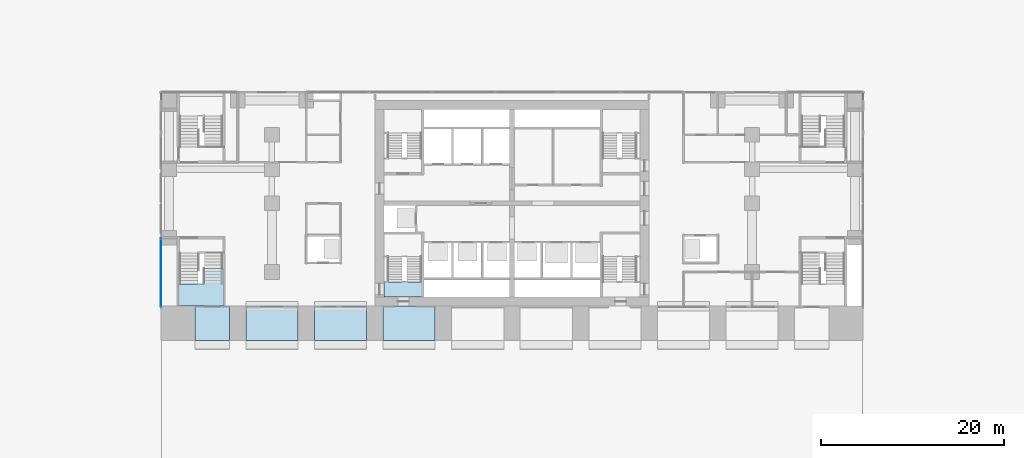
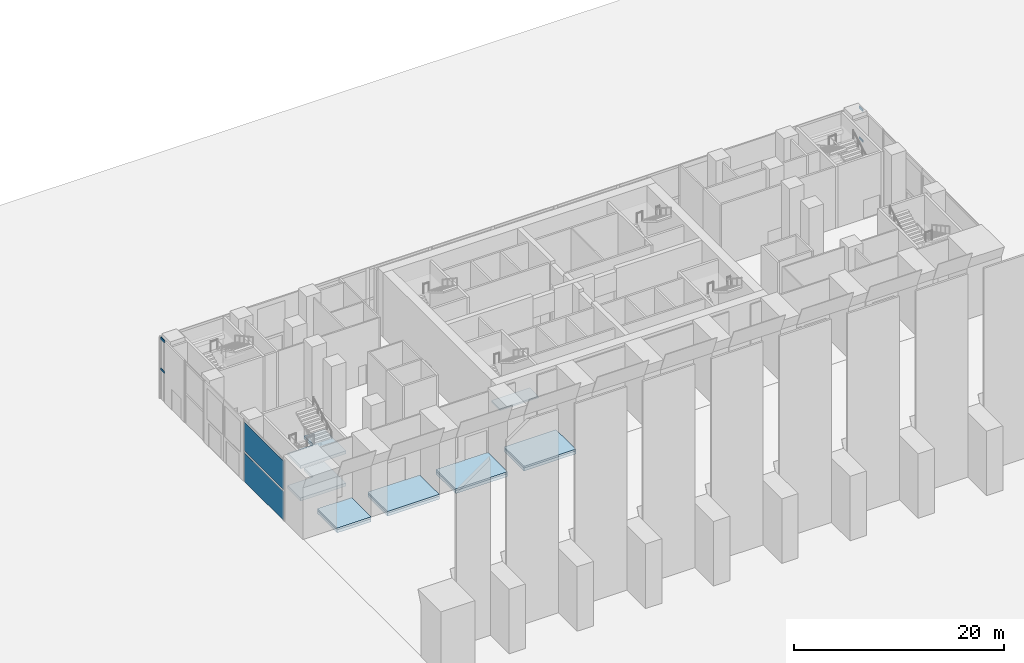
# One storey, part 6 of 21: 11 slabs, 4 members, 2 plates, 8 elements without a shape of their own.
"""IFC4 building model written with IfcOpenShell, lengths in metres."""

from ifc_helpers import new_model, si_unit, direction, frame, origin, origin_2d, place, context, subcontext, project, spatial, polyline, rectangle, outline, extrude, material, layer, layer_set, material_profile, profile_set, type_object, element, aggregate, save


model = new_model("IFC4")

# Units and contexts
model_context = context("Model", 3, precision=1e-05, world=origin(), true_north=direction((0.0, 1.0)))
body_context = subcontext(model_context, "Body", "Model", "MODEL_VIEW")
ifc_project = project(units=[si_unit("LENGTHUNIT", "METRE"), si_unit("AREAUNIT", "SQUARE_METRE"), si_unit("VOLUMEUNIT", "CUBIC_METRE"), si_unit("PLANEANGLEUNIT", "RADIAN"), si_unit("MASSUNIT", "GRAM", prefix="KILO")], contexts=[model_context])

# Site, building, storey
site_placement = place(None, origin())
site = spatial("IfcSite", under=ifc_project, at=site_placement, CompositionType="ELEMENT")
building_placement = place(site_placement, origin())
building = spatial("IfcBuilding", under=site, at=building_placement, Name="Pilkhan Gate Tower", CompositionType="ELEMENT")
storey_placement = place(building_placement, origin())
storey = spatial("IfcBuildingStorey", under=building, at=storey_placement, Name="L00", CompositionType="ELEMENT", Elevation=0.0)

# Curtain wall, member
ifc_material_1 = material(Name="Pale anodised aluminium, clear low-iron laminated glazing", Category="aluminium")
curtain_wall_type = type_object("IfcCurtainWallType", Name="Podium unitised curtain wall CW-P", PredefinedType="USERDEFINED", material=ifc_material_1)
curtain_wall_1_placement = place(storey_placement, origin())
curtain_wall_1 = element("IfcCurtainWall", 1, at=curtain_wall_1_placement, inside=storey, type_object=curtain_wall_type, Name="Podium unitised curtain wall CW-P L00 E", ObjectType="UNITISED CURTAIN WALL", PredefinedType="USERDEFINED")
ifc_material_2 = material(Name="Pale anodised aluminium", Category="aluminium")
ifc_material_profile = material_profile(ifc_material_2, rectangle(XDim=0.080078125, YDim=0.25, at=origin_2d()), Name="Transom 250x80")
ifc_profile_set = profile_set([ifc_material_profile], Name="Pale anodised aluminium")
member_type = type_object("IfcMemberType", Name="Transom CW-P 250x80", PredefinedType="USERDEFINED", material=ifc_profile_set)
member_1_placement = place(storey_placement, frame((113.39501953125, 93.830078125, 3.449951171875), z_axis=(0.0, 1.0, 0.0), x_axis=(-1.0, 0.0, 0.0)))
member_1 = element("IfcMember", 2, at=member_1_placement, type_object=member_type, Name="CW-P transom 1", ObjectType="TRANSOM", PredefinedType="USERDEFINED", context=body_context, shape_type="SweptSolid", body=[
    extrude(rectangle(XDim=0.080078125, YDim=0.25, at=origin_2d()), origin(), (0.0, 0.0, 1.0), 0.73486328125),
])
aggregate(curtain_wall_1, [member_1])

curtain_wall_2_placement = place(storey_placement, origin())
curtain_wall_2 = element("IfcCurtainWall", 3, at=curtain_wall_2_placement, inside=storey, type_object=curtain_wall_type, Name="Podium unitised curtain wall CW-P L00 E", ObjectType="UNITISED CURTAIN WALL", PredefinedType="USERDEFINED")
member_2_placement = place(storey_placement, frame((113.39501953125, 93.830078125, 7.02490234375), z_axis=(0.0, 1.0, 0.0), x_axis=(-1.0, 0.0, 0.0)))
member_2 = element("IfcMember", 4, at=member_2_placement, type_object=member_type, Name="CW-P transom 1", ObjectType="TRANSOM", PredefinedType="USERDEFINED", context=body_context, shape_type="SweptSolid", body=[
    extrude(rectangle(XDim=0.080078125, YDim=0.25, at=origin_2d()), origin(), (0.0, 0.0, 1.0), 0.73486328125),
])
aggregate(curtain_wall_2, [member_2])

curtain_wall_3_placement = place(storey_placement, origin())
curtain_wall_3 = element("IfcCurtainWall", 5, at=curtain_wall_3_placement, inside=storey, type_object=curtain_wall_type, Name="Podium unitised curtain wall CW-P L00 W", ObjectType="UNITISED CURTAIN WALL", PredefinedType="USERDEFINED")
member_3_placement = place(storey_placement, frame((36.60498046875, 93.830078125, 3.449951171875), z_axis=(0.0, 1.0, 0.0), x_axis=(-1.0, 0.0, 0.0)))
member_3 = element("IfcMember", 6, at=member_3_placement, type_object=member_type, Name="CW-P transom 1", ObjectType="TRANSOM", PredefinedType="USERDEFINED", context=body_context, shape_type="SweptSolid", body=[
    extrude(rectangle(XDim=0.080078125, YDim=0.25, at=origin_2d()), origin(), (0.0, 0.0, 1.0), 0.73486328125),
])
aggregate(curtain_wall_3, [member_3])

curtain_wall_4_placement = place(storey_placement, origin())
curtain_wall_4 = element("IfcCurtainWall", 7, at=curtain_wall_4_placement, inside=storey, type_object=curtain_wall_type, Name="Podium unitised curtain wall CW-P L00 W", ObjectType="UNITISED CURTAIN WALL", PredefinedType="USERDEFINED")
member_4_placement = place(storey_placement, frame((36.60498046875, 93.830078125, 7.02490234375), z_axis=(0.0, 1.0, 0.0), x_axis=(-1.0, 0.0, 0.0)))
member_4 = element("IfcMember", 8, at=member_4_placement, type_object=member_type, Name="CW-P transom 1", ObjectType="TRANSOM", PredefinedType="USERDEFINED", context=body_context, shape_type="SweptSolid", body=[
    extrude(rectangle(XDim=0.080078125, YDim=0.25, at=origin_2d()), origin(), (0.0, 0.0, 1.0), 0.73486328125),
])
aggregate(curtain_wall_4, [member_4])

# Curtain wall, plate
curtain_wall_5_placement = place(storey_placement, origin())
curtain_wall_5 = element("IfcCurtainWall", 9, at=curtain_wall_5_placement, inside=storey, type_object=curtain_wall_type, Name="Podium unitised curtain wall CW-P L00 W", ObjectType="UNITISED CURTAIN WALL", PredefinedType="USERDEFINED")
ifc_material_3 = material(Name="Clear low-iron laminated glazing", Category="glass")
ifc_layer_1 = layer(ifc_material_3, 0.048095703125)
ifc_layer_set_1 = layer_set([ifc_layer_1], Name="Glass panel CW-P 48")
plate_type = type_object("IfcPlateType", Name="Glass panel CW-P 48", PredefinedType="CURTAIN_PANEL", material=ifc_layer_set_1)
plate_1_placement = place(storey_placement, frame((36.60498046875, 74.927490234375, 0.0), z_axis=(0.0, 0.0, 1.0), x_axis=(0.0, 1.0, 0.0)))
plate_1 = element("IfcPlate", 10, at=plate_1_placement, type_object=plate_type, Name="CW-P panel 1", PredefinedType="CURTAIN_PANEL", context=body_context, shape_type="SweptSolid", body=[
    extrude(rectangle(XDim=7.485107421875, YDim=0.048095703125, at=origin_2d()), origin(), (0.0, 0.0, 1.0), 3.324951171875),
])
aggregate(curtain_wall_5, [plate_1])

curtain_wall_6_placement = place(storey_placement, origin())
curtain_wall_6 = element("IfcCurtainWall", 11, at=curtain_wall_6_placement, inside=storey, type_object=curtain_wall_type, Name="Podium unitised curtain wall CW-P L00 W", ObjectType="UNITISED CURTAIN WALL", PredefinedType="USERDEFINED")
plate_2_placement = place(storey_placement, frame((36.60498046875, 74.927490234375, 3.5751953125), z_axis=(0.0, 0.0, 1.0), x_axis=(0.0, 1.0, 0.0)))
plate_2 = element("IfcPlate", 12, at=plate_2_placement, type_object=plate_type, Name="CW-P panel 1", PredefinedType="CURTAIN_PANEL", context=body_context, shape_type="SweptSolid", body=[
    extrude(rectangle(XDim=7.485107421875, YDim=0.048095703125, at=origin_2d()), origin(), (0.0, 0.0, 1.0), 3.324951171875),
])
aggregate(curtain_wall_6, [plate_2])

# Slabs
ifc_material_4 = material(Name="Concrete C40/50", Category="concrete")
ifc_layer_2 = layer(ifc_material_4, 0.35009765625)
ifc_layer_set_2 = layer_set([ifc_layer_2], Name="Niche deck slab ND350")
slab_type_1 = type_object("IfcSlabType", Name="Niche deck slab ND350", PredefinedType="FLOOR", material=ifc_layer_set_2)
slab_1_placement = place(storey_placement, frame((0.0, 0.0, -0.550048828125)))
element("IfcSlab", 13, at=slab_1_placement, inside=storey, type_object=slab_type_1, Name="Niche deck slab 1", PredefinedType="FLOOR", context=body_context, shape_type="SweptSolid", body=[
    extrude(outline(polyline([(40.35009765625, 67.5), (44.10009765625, 67.5), (44.10009765625, 71.25), (40.35009765625, 71.25), (40.35009765625, 67.5)])), origin(), (0.0, 0.0, 1.0), 0.35009765625),
])
slab_2_placement = place(storey_placement, frame((0.0, 0.0, -0.550048828125)))
element("IfcSlab", 14, at=slab_2_placement, inside=storey, type_object=slab_type_1, Name="Niche deck slab 2", PredefinedType="FLOOR", context=body_context, shape_type="SweptSolid", body=[
    extrude(outline(polyline([(45.89990234375, 67.5), (51.60009765625, 67.5), (51.60009765625, 71.25), (45.89990234375, 71.25), (45.89990234375, 67.5)])), origin(), (0.0, 0.0, 1.0), 0.35009765625),
])
slab_3_placement = place(storey_placement, frame((0.0, 0.0, -0.550048828125)))
element("IfcSlab", 15, at=slab_3_placement, inside=storey, type_object=slab_type_1, Name="Niche deck slab 3", PredefinedType="FLOOR", context=body_context, shape_type="SweptSolid", body=[
    extrude(outline(polyline([(53.39990234375, 67.5), (59.10009765625, 67.5), (59.10009765625, 71.25), (53.39990234375, 71.25), (53.39990234375, 67.5)])), origin(), (0.0, 0.0, 1.0), 0.35009765625),
])
slab_4_placement = place(storey_placement, frame((0.0, 0.0, -0.550048828125)))
element("IfcSlab", 16, at=slab_4_placement, inside=storey, type_object=slab_type_1, Name="Niche deck slab 4", PredefinedType="FLOOR", context=body_context, shape_type="SweptSolid", body=[
    extrude(outline(polyline([(60.89990234375, 67.5), (66.60009765625, 67.5), (66.60009765625, 71.25), (60.89990234375, 71.25), (60.89990234375, 67.5)])), origin(), (0.0, 0.0, 1.0), 0.35009765625),
])

# Stair, slab
ifc_material_5 = material(Name="Concrete C40/50 precast", Category="concrete")
stair_type_1 = type_object("IfcStairType", Name="Stair ST2 170x280", PredefinedType="HALF_TURN_STAIR", material=ifc_material_5)
stair_1_placement = place(storey_placement, origin())
stair_1 = element("IfcStair", 17, at=stair_1_placement, inside=storey, type_object=stair_type_1, Name="Stair ST2 L00", PredefinedType="HALF_TURN_STAIR")
ifc_layer_3 = layer(ifc_material_4, 0.199951171875)
ifc_layer_set_3 = layer_set([ifc_layer_3], Name="Stair landing SL200")
slab_type_2 = type_object("IfcSlabType", Name="Stair landing SL200", PredefinedType="LANDING", material=ifc_layer_set_3)
slab_5_placement = place(storey_placement, frame((0.0, 0.0, 3.550048828125)))
slab_5 = element("IfcSlab", 18, at=slab_5_placement, type_object=slab_type_2, Name="ST2 landing 2", PredefinedType="LANDING", context=body_context, shape_type="SweptSolid", body=[
    extrude(outline(polyline([(65.25, 72.25), (65.25, 73.89990234375), (61.0, 73.89990234375), (61.0, 72.25), (65.25, 72.25)])), origin(), (0.0, 0.0, 1.0), 0.199951171875),
])
aggregate(stair_1, [slab_5])

# Stair, slabs
stair_type_2 = type_object("IfcStairType", Name="Stair PS3 170x340", PredefinedType="HALF_TURN_STAIR", material=ifc_material_5)
stair_2_placement = place(storey_placement, origin())
stair_2 = element("IfcStair", 19, at=stair_2_placement, inside=storey, type_object=stair_type_2, Name="Stair PS3 L00", PredefinedType="HALF_TURN_STAIR")
ifc_layer_4 = layer(ifc_material_4, 0.35009765625)
ifc_layer_set_4 = layer_set([ifc_layer_4], Name="Stair landing SL350")
slab_type_3 = type_object("IfcSlabType", Name="Stair landing SL350", PredefinedType="LANDING", material=ifc_layer_set_4)
slab_6_placement = place(storey_placement, frame((0.0, 0.0, 1.52490234375)))
slab_6 = element("IfcSlab", 20, at=slab_6_placement, type_object=slab_type_3, Name="PS3 landing 1", PredefinedType="LANDING", context=body_context, shape_type="SweptSolid", body=[
    extrude(outline(polyline([(43.5, 75.39990234375), (41.300048828125, 75.39990234375), (41.300048828125, 73.700439453125), (38.5, 73.700439453125), (38.5, 71.25), (43.5, 71.25), (43.5, 73.699951171875), (43.5, 73.700439453125), (43.5, 75.39990234375)])), origin(), (0.0, 0.0, 1.0), 0.35009765625),
])
slab_7_placement = place(storey_placement, frame((0.0, 0.0, 5.27490234375)))
slab_7 = element("IfcSlab", 21, at=slab_7_placement, type_object=slab_type_3, Name="PS3 landing 3", PredefinedType="LANDING", context=body_context, shape_type="SweptSolid", body=[
    extrude(outline(polyline([(43.5, 75.39990234375), (41.300048828125, 75.39990234375), (41.300048828125, 73.700439453125), (38.5, 73.700439453125), (38.5, 71.25), (43.5, 71.25), (43.5, 73.699951171875), (43.5, 73.700439453125), (43.5, 75.39990234375)])), origin(), (0.0, 0.0, 1.0), 0.35009765625),
])
aggregate(stair_2, [slab_6, slab_7])

# Slabs
ifc_material_6 = material(Name="Pale granite paving on compacted base", Category="masonry")
ifc_layer_5 = layer(ifc_material_6, 0.199951171875)
ifc_layer_set_5 = layer_set([ifc_layer_5], Name="Street paving PV200")
slab_type_4 = type_object("IfcSlabType", Name="Street paving PV200", PredefinedType="USERDEFINED", material=ifc_layer_set_5)
slab_8_placement = place(storey_placement, frame((0.0, 0.0, -0.199951171875)))
element("IfcSlab", 22, at=slab_8_placement, inside=storey, type_object=slab_type_4, Name="Street paving", ObjectType="PAVING", PredefinedType="USERDEFINED", context=body_context, shape_type="SweptSolid", body=[
    extrude(outline(polyline([(44.10009765625, 67.5), (40.35009765625, 67.5), (40.35009765625, 71.25), (43.5, 71.25), (44.10009765625, 71.25), (44.10009765625, 67.5)])), origin(), (0.0, 0.0, 1.0), 0.199951171875),
])
slab_9_placement = place(storey_placement, frame((0.0, 0.0, -0.199951171875)))
element("IfcSlab", 23, at=slab_9_placement, inside=storey, type_object=slab_type_4, Name="Street paving", ObjectType="PAVING", PredefinedType="USERDEFINED", context=body_context, shape_type="SweptSolid", body=[
    extrude(outline(polyline([(51.60009765625, 67.5), (45.89990234375, 67.5), (45.89990234375, 71.25), (51.60009765625, 71.25), (51.60009765625, 67.5)])), origin(), (0.0, 0.0, 1.0), 0.199951171875),
])
slab_10_placement = place(storey_placement, frame((0.0, 0.0, -0.199951171875)))
element("IfcSlab", 24, at=slab_10_placement, inside=storey, type_object=slab_type_4, Name="Street paving", ObjectType="PAVING", PredefinedType="USERDEFINED", context=body_context, shape_type="SweptSolid", body=[
    extrude(outline(polyline([(59.10009765625, 67.5), (53.39990234375, 67.5), (53.39990234375, 71.25), (59.10009765625, 71.25), (59.10009765625, 67.5)])), origin(), (0.0, 0.0, 1.0), 0.199951171875),
])
slab_11_placement = place(storey_placement, frame((0.0, 0.0, -0.199951171875)))
element("IfcSlab", 25, at=slab_11_placement, inside=storey, type_object=slab_type_4, Name="Street paving", ObjectType="PAVING", PredefinedType="USERDEFINED", context=body_context, shape_type="SweptSolid", body=[
    extrude(outline(polyline([(66.60009765625, 67.5), (60.89990234375, 67.5), (60.89990234375, 71.25), (66.60009765625, 71.25), (66.60009765625, 67.5)])), origin(), (0.0, 0.0, 1.0), 0.199951171875),
])

save(model, "model.ifc")
